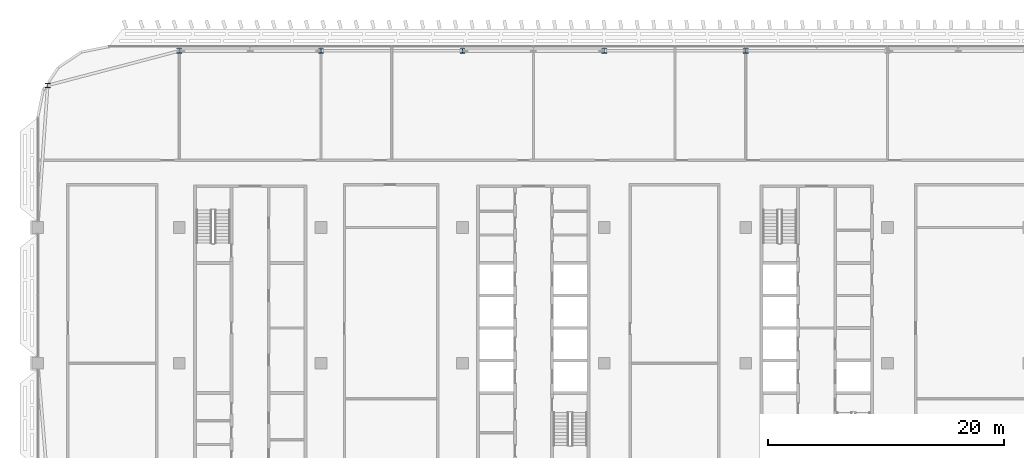
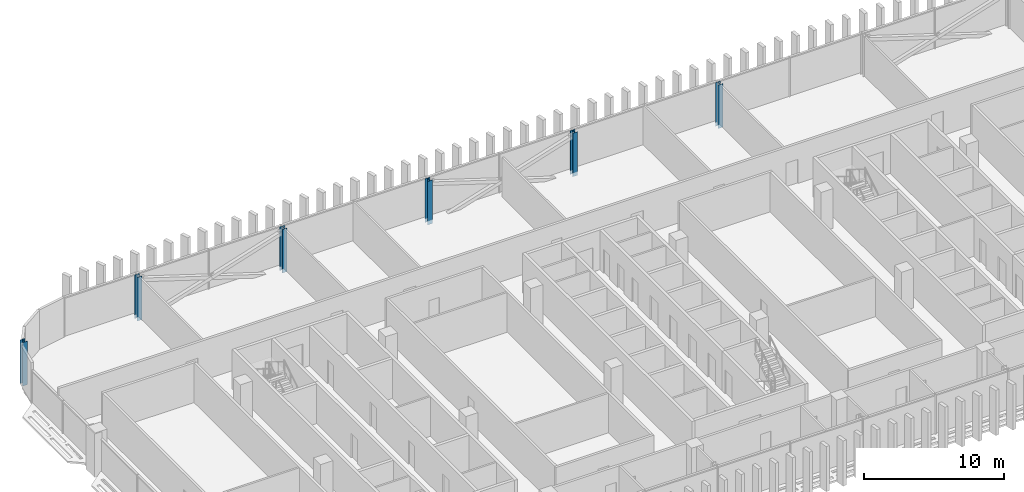
# One storey, part 3 of 35: 6 columns.
"""IFC4 building model written with IfcOpenShell, lengths in metres."""

from ifc_helpers import new_model, si_unit, direction, frame, origin, origin_2d, place, context, subcontext, project, spatial, i_section, extrude, material, material_profile, profile_set, type_object, element, save


model = new_model("IFC4")

# Units and contexts
model_context = context("Model", 3, precision=1e-05, world=origin(), true_north=direction((0.0, 1.0)))
body_context = subcontext(model_context, "Body", "Model", "MODEL_VIEW")
ifc_project = project(units=[si_unit("LENGTHUNIT", "METRE"), si_unit("AREAUNIT", "SQUARE_METRE"), si_unit("VOLUMEUNIT", "CUBIC_METRE"), si_unit("PLANEANGLEUNIT", "RADIAN"), si_unit("MASSUNIT", "GRAM", prefix="KILO")], contexts=[model_context])

# Site, building, storey
site_placement = place(None, origin())
site = spatial("IfcSite", under=ifc_project, at=site_placement, CompositionType="ELEMENT")
building_placement = place(site_placement, origin())
building = spatial("IfcBuilding", under=site, at=building_placement, Name="Mahtab Terrace Research Tower", CompositionType="ELEMENT")
storey_placement = place(building_placement, frame((0.0, 0.0, 251.39990234375)))
storey = spatial("IfcBuildingStorey", under=building, at=storey_placement, Name="L61", CompositionType="ELEMENT", Elevation=251.39990234375)

# Columns
ifc_material = material(Name="Steel ASTM A992 Gr 50", Category="steel")
ifc_material_profile = material_profile(ifc_material, i_section(OverallWidth=0.398681640625, OverallDepth=0.385986328125, WebThickness=0.02099609375, FlangeThickness=0.033203125, at=origin_2d()), Name="W14X176")
ifc_profile_set = profile_set([ifc_material_profile], Name="Steel ASTM A992 Gr 50")
column_type = type_object("IfcColumnType", Name="W14x176 column CS14176", PredefinedType="COLUMN", material=ifc_profile_set)
for number, where, z_axis, x_axis, name in (
    (1, (18.0, 26.472900390625, -0.33984375), (0.0, 0.0, 1.0), (1.0, 0.0, 0.0), "Column SC-055 L61"),
    (2, (6.0, 26.472900390625, -0.33984375), (0.0, 0.0, 1.0), (1.0, 0.0, 0.0), "Column SC-056 L61"),
    (3, (-6.0, 26.472900390625, -0.33984375), (0.0, 0.0, 1.0), (1.0, 0.0, 0.0), "Column SC-057 L61"),
    (4, (-18.0, 26.472900390625, -0.33984375), (0.0, 0.0, 1.0), (1.0, 0.0, 0.0), "Column SC-058 L61"),
    (5, (-30.0, 26.472900390625, -0.33984375), (0.0, 0.0, 1.0), (1.0, 0.0, 0.0), "Column SC-059 L61"),
    (6, (-41.154052734375, 23.5458984375, -0.33984375), (0.0, 0.0, 1.0), (1.0, 0.0, 0.0), "Column SC-060 L61"),
):
    element("IfcColumn", number, at=place(storey_placement, frame(where, z_axis=z_axis, x_axis=x_axis)), inside=storey, type_object=column_type, Name=name, PredefinedType="COLUMN", context=body_context, shape_type="SweptSolid", body=[
        extrude(i_section(OverallWidth=0.398681640625, OverallDepth=0.385986328125, WebThickness=0.02099609375, FlangeThickness=0.033203125, at=origin_2d()), origin(), (0.0, 0.0, 1.0), 3.800048828125),
    ])

save(model, "model.ifc")
